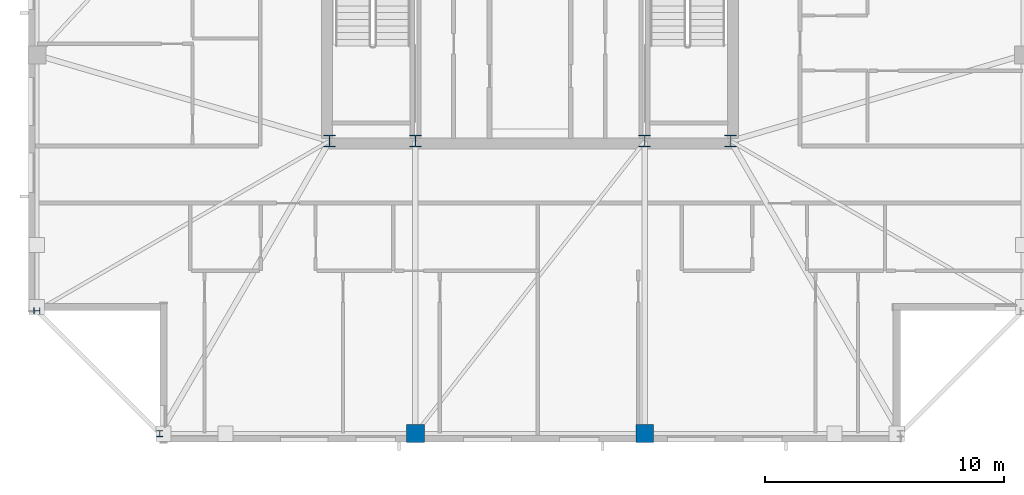
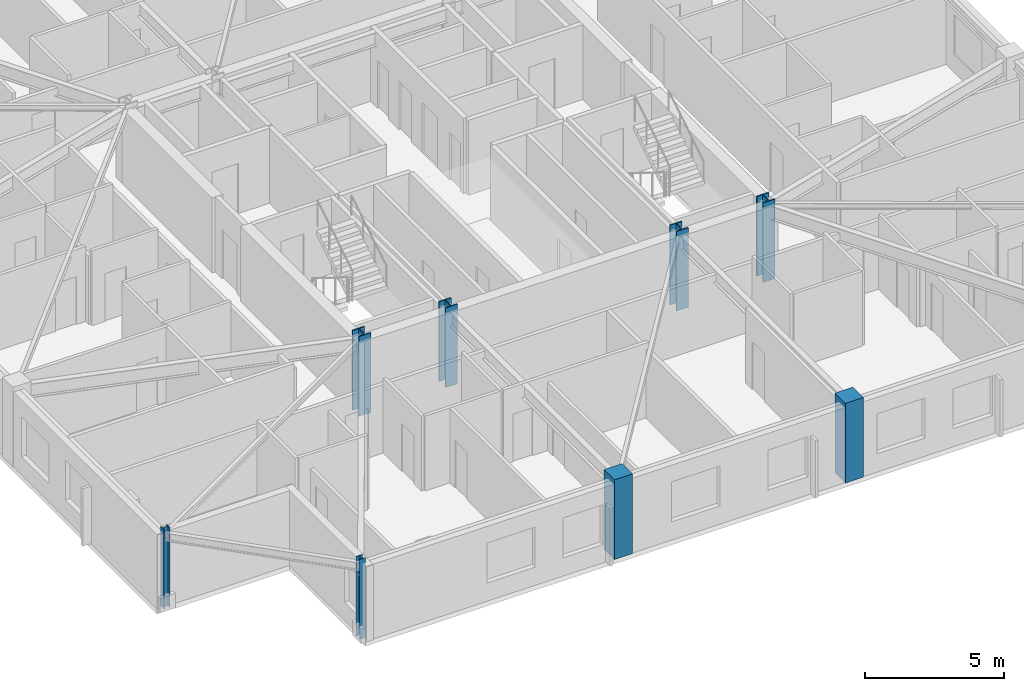
# One storey, part 1 of 16: 8 columns.
"""IFC4 building model written with IfcOpenShell, lengths in metres."""

import ifcopenshell
import ifcopenshell.guid

model = None  # the IFC model being written
_history = None  # IfcOwnerHistory: only IFC2X3 demands one
_inside = {}  # id of a spatial element -> (the spatial element, [elements in it])
_under = {}  # id of a project, library or spatial element -> (it, [spatial elements below it])
_declared = {}  # id of a project -> (the project, [libraries it declares])
_typed = {}  # id of a type object -> (the type object, [elements of that type])
_made_of = {}  # id of a material, layer set ... -> (it, [elements and type objects made of it])


def new_model(schema):
    """Start an empty IFC model of exactly this schema.

    Asked for "IFC4X3", IfcOpenShell would pick the latest addendum, in which some entities
    have other attributes; the version numbers below select the first issue.
    IFC2X3 requires an IfcOwnerHistory on every rooted entity: one is made here for all.
    """
    global model, _history
    if schema == "IFC4X3":
        model = ifcopenshell.file(schema_version=(4, 3, 0, 0))
    else:
        model = ifcopenshell.file(schema=schema)
    _inside.clear()
    _under.clear()
    _declared.clear()
    _typed.clear()
    _made_of.clear()
    _history = None
    if model.schema == "IFC2X3":
        org = make("IfcOrganization", Name="unknown")
        user = make(
            "IfcPersonAndOrganization",
            ThePerson=make("IfcPerson", FamilyName="unknown"),
            TheOrganization=org,
        )
        app = make(
            "IfcApplication",
            ApplicationDeveloper=org,
            Version="unknown",
            ApplicationFullName="unknown",
            ApplicationIdentifier="unknown",
        )
        _history = make(
            "IfcOwnerHistory",
            OwningUser=user,
            OwningApplication=app,
            ChangeAction="ADDED",
            CreationDate=0,
        )
    return model


def make(cls, **values):
    """One entity of the class cls with the attributes given. An attribute that is None is left unset."""
    return model.create_entity(
        cls, **{name: value for name, value in values.items() if value is not None}
    )


def rooted(cls, **values):
    """An entity with a GlobalId (a new one), such as an element, a storey or a relation."""
    return make(cls, GlobalId=ifcopenshell.guid.new(), OwnerHistory=_history, **values)


def si_unit(unit_type, name, prefix=None):
    """IfcSIUnit, for example si_unit("LENGTHUNIT", "METRE", prefix="MILLI")."""
    return make("IfcSIUnit", UnitType=unit_type, Prefix=prefix, Name=name)


def assignment(units):
    """IfcUnitAssignment: the units of a project."""
    return None if units is None else make("IfcUnitAssignment", Units=units)


def point(xyz):
    """IfcCartesianPoint."""
    return None if xyz is None else make("IfcCartesianPoint", Coordinates=xyz)


def direction(xyz):
    """IfcDirection."""
    return None if xyz is None else make("IfcDirection", DirectionRatios=xyz)


def frame(location, z_axis=None, x_axis=None):
    """IfcAxis2Placement3D, a coordinate frame: its origin and axes. An axis left out is left unset."""
    return make(
        "IfcAxis2Placement3D",
        Location=point(location),
        Axis=direction(z_axis),
        RefDirection=direction(x_axis),
    )


def frame_2d(location, x_axis=None):
    """IfcAxis2Placement2D, a coordinate frame in the plane: its origin and x axis."""
    return make(
        "IfcAxis2Placement2D", Location=point(location), RefDirection=direction(x_axis)
    )


def origin():
    """The frame at (0, 0, 0) with its axes left unset."""
    return frame((0.0, 0.0, 0.0))


def origin_2d():
    """The frame at (0, 0) in the plane with its x axis left unset."""
    return frame_2d((0.0, 0.0))


def place(relative_to, where):
    """IfcLocalPlacement: puts the frame where relative to a parent placement (None: the world)."""
    return make(
        "IfcLocalPlacement", PlacementRelTo=relative_to, RelativePlacement=where
    )


def context(
    kind, dimensions, precision=None, world=None, true_north=None, identifier=None
):
    """IfcGeometricRepresentationContext, for example the 3D "Model" context."""
    return make(
        "IfcGeometricRepresentationContext",
        ContextIdentifier=identifier,
        ContextType=kind,
        CoordinateSpaceDimension=dimensions,
        Precision=precision,
        WorldCoordinateSystem=world,
        TrueNorth=true_north,
    )


def subcontext(parent, identifier, kind, view, scale=None):
    """IfcGeometricRepresentationSubContext, for example "Body" below "Model"."""
    return make(
        "IfcGeometricRepresentationSubContext",
        ContextIdentifier=identifier,
        ContextType=kind,
        ParentContext=parent,
        TargetScale=scale,
        TargetView=view,
    )


def project(units=None, contexts=None):
    """IfcProject with its units and contexts."""
    return rooted(
        "IfcProject",
        Name="project",
        RepresentationContexts=contexts,
        UnitsInContext=assignment(units),
    )


def spatial(cls, under=None, at=None, **own):
    """A site, building, storey or space (cls), placed at a placement, below another one or the project."""
    s = rooted(cls, ObjectPlacement=at, **own)
    if under is not None:
        _under.setdefault(under.id(), (under, []))[1].append(s)
    return s


def profile(cls, at=None, kind="AREA", **sizes):
    """A parametric profile (cls). Its sizes go by their IFC names, for example OverallWidth=200.0."""
    return make(cls, ProfileType=kind, Position=at, **sizes)


def rectangle(**sizes):
    """IfcRectangleProfileDef."""
    return profile("IfcRectangleProfileDef", **sizes)


def i_section(**sizes):
    """IfcIShapeProfileDef."""
    return profile("IfcIShapeProfileDef", **sizes)


def extrude(swept, where, along, depth):
    """IfcExtrudedAreaSolid: the profile swept, set in the frame where, extruded along a direction by depth."""
    return make(
        "IfcExtrudedAreaSolid",
        SweptArea=swept,
        Position=where,
        ExtrudedDirection=direction(along),
        Depth=depth,
    )


def shape(context_of_items, identifier, shape_type, items):
    """IfcShapeRepresentation: the items that make up one representation, for example the "Body"."""
    return make(
        "IfcShapeRepresentation",
        ContextOfItems=context_of_items,
        RepresentationIdentifier=identifier,
        RepresentationType=shape_type,
        Items=items,
    )


def material(Name=None, Category=None):
    """IfcMaterial."""
    return make("IfcMaterial", Name=Name, Category=Category)


def material_profile(
    of_material, cross_section, Name=None, Category=None, Priority=None
):
    """IfcMaterialProfile: a cross section and its material."""
    return make(
        "IfcMaterialProfile",
        Name=Name,
        Material=of_material,
        Profile=cross_section,
        Priority=Priority,
        Category=Category,
    )


def profile_set(profiles, Name=None, composite=None):
    """IfcMaterialProfileSet."""
    return make(
        "IfcMaterialProfileSet",
        Name=Name,
        MaterialProfiles=profiles,
        CompositeProfile=composite,
    )


def made_of(thing, what):
    """Note that an element or type object is made of a material, layer set ...; save() writes the relation."""
    if what is not None:
        _made_of.setdefault(what.id(), (what, []))[1].append(thing)
    return thing


def type_object(cls, material=None, **own):
    """A type object (cls), such as IfcWallType, which elements share."""
    return made_of(rooted(cls, **own), material)


def element(
    cls,
    number,
    at=None,
    inside=None,
    cuts=None,
    type_object=None,
    material=None,
    context=None,
    identifier="Body",
    shape_type=None,
    held_by="IfcProductDefinitionShape",
    body=None,
    shapes=None,
    **own,
):
    """One element of the class cls, such as IfcWall. Its Tag is "e" and its number.

    at: its placement. inside: the storey or other place that contains it. cuts: it is an
    opening in that element (IfcRelVoidsElement). A single representation is given by context,
    identifier, shape_type and body (its items); several are given by shapes. held_by: the class
    of the entity that holds the representations. save() writes the other relations.
    """
    e = rooted(cls, Tag="e%d" % number, ObjectPlacement=at, **own)
    if body is not None:
        shapes = [shape(context, identifier, shape_type, body)]
    if shapes is not None:
        e.Representation = make(held_by, Representations=shapes)
    if inside is not None:
        _inside.setdefault(inside.id(), (inside, []))[1].append(e)
    if cuts is not None:
        rooted(
            "IfcRelVoidsElement", RelatingBuildingElement=cuts, RelatedOpeningElement=e
        )
    if type_object is not None:
        _typed.setdefault(type_object.id(), (type_object, []))[1].append(e)
    return made_of(e, material)


def aggregate(whole, parts):
    """IfcRelAggregates: a whole, such as a stair, and the parts it consists of."""
    return rooted("IfcRelAggregates", RelatingObject=whole, RelatedObjects=parts)


def save(model, path):
    """Write the relations noted so far, then the file.

    IfcRelAggregates (storeys below a building ...), IfcRelContainedInSpatialStructure (elements
    in a storey), IfcRelDefinesByType, IfcRelAssociatesMaterial and IfcRelDeclares: one each for
    every whole, place, type object, material and project.
    """
    for whole, parts in _under.values():
        aggregate(whole, parts)
    for where, things in _inside.values():
        rooted(
            "IfcRelContainedInSpatialStructure",
            RelatedElements=things,
            RelatingStructure=where,
        )
    for kind, things in _typed.values():
        rooted("IfcRelDefinesByType", RelatedObjects=things, RelatingType=kind)
    for what, things in _made_of.values():
        rooted("IfcRelAssociatesMaterial", RelatedObjects=things, RelatingMaterial=what)
    for by, libraries in _declared.values():
        rooted("IfcRelDeclares", RelatingContext=by, RelatedDefinitions=libraries)
    model.write(path)


model = new_model("IFC4")

# Units and contexts
model_context = context("Model", 3, precision=1e-05, world=origin(), true_north=direction((0.0, 1.0)))
body_context = subcontext(model_context, "Body", "Model", "MODEL_VIEW")
ifc_project = project(units=[si_unit("LENGTHUNIT", "METRE"), si_unit("AREAUNIT", "SQUARE_METRE"), si_unit("VOLUMEUNIT", "CUBIC_METRE"), si_unit("PLANEANGLEUNIT", "RADIAN"), si_unit("MASSUNIT", "GRAM", prefix="KILO")], contexts=[model_context])

# Site, building, storey
site_placement = place(None, origin())
site = spatial("IfcSite", under=ifc_project, at=site_placement, CompositionType="ELEMENT")
building_placement = place(site_placement, origin())
building = spatial("IfcBuilding", under=site, at=building_placement, Name="Cairnveth Concourse Tower", CompositionType="ELEMENT")
storey_placement = place(building_placement, frame((0.0, 0.0, 312.0)))
storey = spatial("IfcBuildingStorey", under=building, at=storey_placement, Name="L86", CompositionType="ELEMENT", Elevation=312.0)

# Columns
ifc_material_1 = material(Name="Concrete N50 (50 MPa)", Category="concrete")
ifc_material_profile_1 = material_profile(ifc_material_1, rectangle(XDim=0.75, YDim=0.75, at=origin_2d()), Name="RC-COL-750x750")
ifc_profile_set_1 = profile_set([ifc_material_profile_1], Name="Concrete N50 (50 MPa)")
column_type_1 = type_object("IfcColumnType", Name="PERIMETER PIER COLUMN 750X750", PredefinedType="COLUMN", material=ifc_profile_set_1)
for number, where, z_axis, x_axis, name in (
    (1, (47.199951171875, 18.35009765625, 0.0), (0.0, 0.0, 1.0), (1.0, 0.0, 0.0), "Column P-S2 L86"),
    (2, (56.800048828125, 18.35009765625, 0.0), (0.0, 0.0, 1.0), (1.0, 0.0, 0.0), "Column P-S3 L86"),
):
    element("IfcColumn", number, at=place(storey_placement, frame(where, z_axis=z_axis, x_axis=x_axis)), inside=storey, type_object=column_type_1, Name=name, PredefinedType="COLUMN", context=body_context, shape_type="SweptSolid", body=[
        extrude(rectangle(XDim=0.75, YDim=0.75, at=origin_2d()), origin(), (0.0, 0.0, 1.0), 3.5),
    ])
ifc_material_2 = material(Name="Steel Grade 350", Category="steel")
ifc_material_profile_2 = material_profile(ifc_material_2, i_section(OverallWidth=0.25390625, OverallDepth=0.25390625, WebThickness=0.008544921875, FlangeThickness=0.01416015625, FilletRadius=0.012939453125, at=origin_2d()), Name="250UC72.9")
ifc_profile_set_2 = profile_set([ifc_material_profile_2], Name="Steel Grade 350")
column_type_2 = type_object("IfcColumnType", Name="UNIVERSAL STEEL COLUMN 250UC72.9", PredefinedType="COLUMN", material=ifc_profile_set_2)
for number, where, z_axis, x_axis, name in (
    (3, (36.5, 18.35009765625, 0.0), (0.0, 0.0, 1.0), (1.0, 0.0, 0.0), "Column P-S1 L86"),
    (4, (31.35009765625, 23.5, 0.0), (0.0, 0.0, 1.0), (0.0, 1.0, 0.0), "Column P-W4 L86"),
):
    element("IfcColumn", number, at=place(storey_placement, frame(where, z_axis=z_axis, x_axis=x_axis)), inside=storey, type_object=column_type_2, Name=name, PredefinedType="COLUMN", context=body_context, shape_type="SweptSolid", body=[
        extrude(i_section(OverallWidth=0.25390625, OverallDepth=0.25390625, WebThickness=0.008544921875, FlangeThickness=0.01416015625, FilletRadius=0.012939453125, at=origin_2d()), origin(), (0.0, 0.0, 1.0), 3.5),
    ])
ifc_material_profile_3 = material_profile(ifc_material_2, i_section(OverallWidth=0.5, OverallDepth=0.5, WebThickness=0.028076171875, FlangeThickness=0.044921875, at=origin_2d()), Name="500WC383")
ifc_profile_set_3 = profile_set([ifc_material_profile_3], Name="Steel Grade 350")
column_type_3 = type_object("IfcColumnType", Name="WELDED STEEL COLUMN 500WC383", PredefinedType="COLUMN", material=ifc_profile_set_3)
for number, where, z_axis, x_axis, name in (
    (5, (43.60009765625, 30.60009765625, 0.0), (0.0, 0.0, 1.0), (1.0, 0.0, 0.0), "Column CC1 L86"),
    (6, (47.199951171875, 30.60009765625, 0.0), (0.0, 0.0, 1.0), (1.0, 0.0, 0.0), "Column CC2 L86"),
    (7, (56.800048828125, 30.60009765625, 0.0), (0.0, 0.0, 1.0), (1.0, 0.0, 0.0), "Column CC3 L86"),
    (8, (60.39990234375, 30.60009765625, 0.0), (0.0, 0.0, 1.0), (1.0, 0.0, 0.0), "Column CC4 L86"),
):
    element("IfcColumn", number, at=place(storey_placement, frame(where, z_axis=z_axis, x_axis=x_axis)), inside=storey, type_object=column_type_3, Name=name, PredefinedType="COLUMN", context=body_context, shape_type="SweptSolid", body=[
        extrude(i_section(OverallWidth=0.5, OverallDepth=0.5, WebThickness=0.028076171875, FlangeThickness=0.044921875, at=origin_2d()), origin(), (0.0, 0.0, 1.0), 3.5),
    ])

save(model, "model.ifc")
